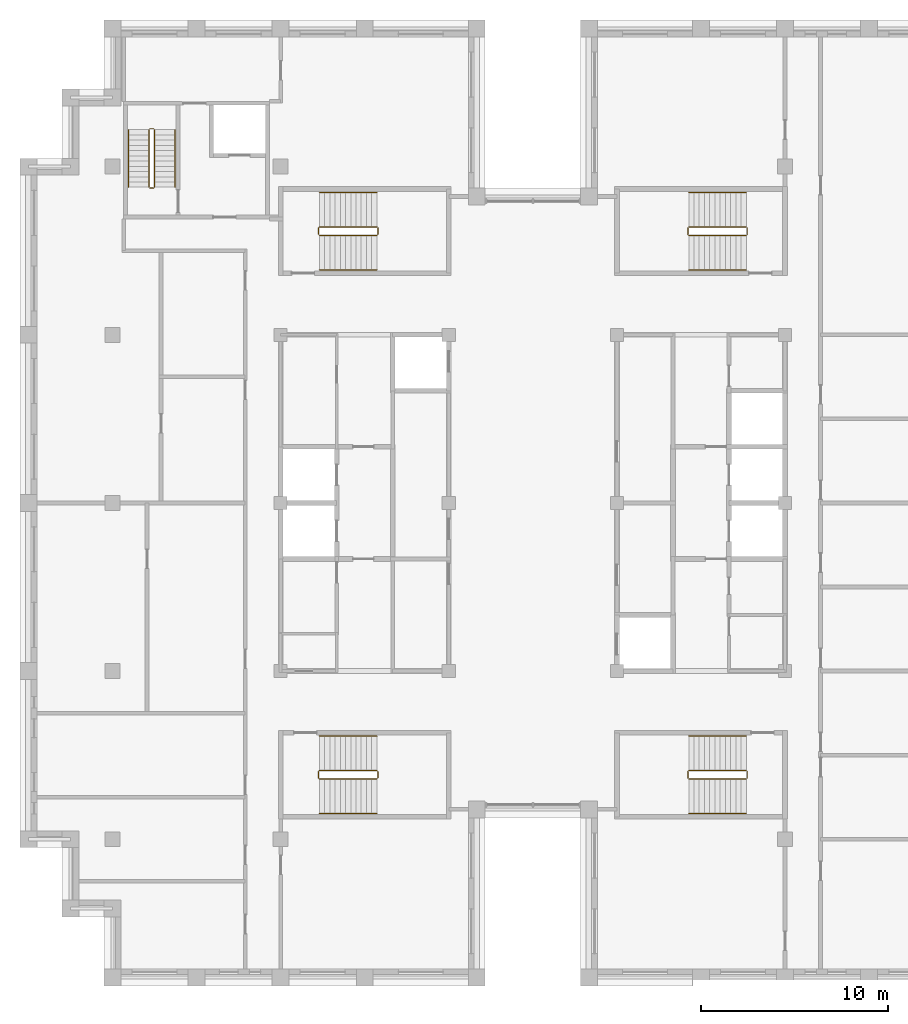
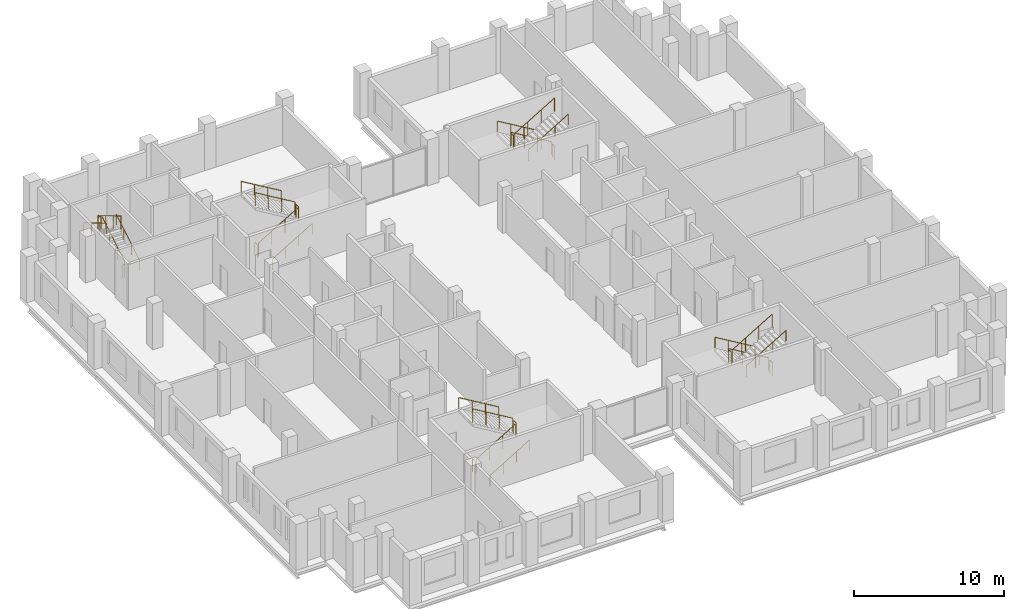
# One storey, part 13 of 13: 5 railings.
"""IFC4 building model written with IfcOpenShell, lengths in metres."""

from ifc_helpers import new_model, si_unit, direction, frame, origin, origin_2d, place, context, subcontext, project, spatial, circle, extrude, material, type_object, element, save


model = new_model("IFC4")

# Units and contexts
model_context = context("Model", 3, precision=1e-05, world=origin(), true_north=direction((0.0, 1.0)))
body_context = subcontext(model_context, "Body", "Model", "MODEL_VIEW")
ifc_project = project(units=[si_unit("LENGTHUNIT", "METRE"), si_unit("AREAUNIT", "SQUARE_METRE"), si_unit("VOLUMEUNIT", "CUBIC_METRE"), si_unit("PLANEANGLEUNIT", "RADIAN"), si_unit("MASSUNIT", "GRAM", prefix="KILO")], contexts=[model_context])

# Site, building, storey
site_placement = place(None, origin())
site = spatial("IfcSite", under=ifc_project, at=site_placement, CompositionType="ELEMENT")
building_placement = place(site_placement, origin())
building = spatial("IfcBuilding", under=site, at=building_placement, Name="Corbelhall Arena Tower", CompositionType="ELEMENT")
storey_placement = place(building_placement, frame((0.0, 0.0, 338.0)))
storey = spatial("IfcBuildingStorey", under=building, at=storey_placement, Name="L74", CompositionType="ELEMENT", Elevation=338.0)

# Railings
ifc_material = material(Name="Steel ASTM A500 Gr C", Category="steel")
railing_type = type_object("IfcRailingType", Name="IN-GD-1100", PredefinedType="GUARDRAIL", material=ifc_material)
railing_1_placement = place(storey_placement, frame((-11.425048828125, 14.324951171875, 0.166748046875)))
element("IfcRailing", 1, at=railing_1_placement, inside=storey, type_object=railing_type, Name="L74 ST1 stair guards and handrails", PredefinedType="GUARDRAIL", context=body_context, shape_type="SweptSolid", body=[
    extrude(circle(Radius=0.02392578125, at=origin_2d()), frame((0.0, 0.0, 1.076171875), z_axis=(0.859308565015, 0.0, 0.511457515432), x_axis=(0.0, 1.0, 0.0)), (0.0, 0.0, 1.0), 3.58447265625),
    extrude(circle(Radius=0.02392578125, at=origin_2d()), frame((3.130126953125, 0.050048828125, 2.9091796875), z_axis=(0.0, 1.0, 0.0), x_axis=(-1.0, 0.0, 0.0)), (0.0, 0.0, 1.0), 0.35009765625),
    extrude(circle(Radius=0.02392578125, at=origin_2d()), frame((3.080078125, 0.449951171875, 3.076171875), z_axis=(-0.859308565015, 0.0, 0.511457515432), x_axis=(0.0, -1.0, 0.0)), (0.0, 0.0, 1.0), 3.58447265625),
    extrude(circle(Radius=0.02392578125, at=origin_2d()), frame((-0.050048828125, 0.050048828125, 0.9091796875), z_axis=(0.0, 1.0, 0.0), x_axis=(-1.0, 0.0, 0.0)), (0.0, 0.0, 1.0), 0.35009765625),
    extrude(circle(Radius=0.02392578125, at=origin_2d()), frame((0.0, -1.849853515625, 0.8759765625), z_axis=(0.859308565015, 0.0, 0.511457515432), x_axis=(0.0, 1.0, 0.0)), (0.0, 0.0, 1.0), 3.58447265625),
    extrude(circle(Radius=0.02392578125, at=origin_2d()), frame((3.080078125, 2.300048828125, 2.8759765625), z_axis=(-0.859308565015, 0.0, 0.511457515432), x_axis=(0.0, -1.0, 0.0)), (0.0, 0.0, 1.0), 3.58447265625),
    extrude(circle(Radius=0.02099609375, at=origin_2d()), origin(), (0.0, 0.0, 1.0), 1.052001953125),
    extrude(circle(Radius=0.02099609375, at=origin_2d()), frame((1.026611328125, 0.0, 0.611083984375)), (0.0, 0.0, 1.0), 1.052001953125),
    extrude(circle(Radius=0.02099609375, at=origin_2d()), frame((2.053466796875, 0.0, 1.22216796875)), (0.0, 0.0, 1.0), 1.052001953125),
    extrude(circle(Radius=0.02099609375, at=origin_2d()), frame((3.080078125, 0.0, 1.833251953125)), (0.0, 0.0, 1.0), 1.052001953125),
    extrude(circle(Radius=0.02099609375, at=origin_2d()), frame((3.130126953125, 0.050048828125, 1.833251953125)), (0.0, 0.0, 1.0), 1.052001953125),
    extrude(circle(Radius=0.02099609375, at=origin_2d()), frame((3.130126953125, 0.400146484375, 1.833251953125)), (0.0, 0.0, 1.0), 1.052001953125),
    extrude(circle(Radius=0.02099609375, at=origin_2d()), frame((3.080078125, 0.449951171875, 2.0)), (0.0, 0.0, 1.0), 1.052001953125),
    extrude(circle(Radius=0.02099609375, at=origin_2d()), frame((2.053466796875, 0.449951171875, 2.611083984375)), (0.0, 0.0, 1.0), 1.052001953125),
    extrude(circle(Radius=0.02099609375, at=origin_2d()), frame((1.026611328125, 0.449951171875, 3.22216796875)), (0.0, 0.0, 1.0), 1.052001953125),
    extrude(circle(Radius=0.02099609375, at=origin_2d()), frame((0.0, 0.449951171875, 3.833251953125)), (0.0, 0.0, 1.0), 1.052001953125),
    extrude(circle(Radius=0.02099609375, at=origin_2d()), frame((-0.050048828125, 0.050048828125, -0.166748046875)), (0.0, 0.0, 1.0), 1.052001953125),
    extrude(circle(Radius=0.02099609375, at=origin_2d()), frame((-0.050048828125, 0.400146484375, -0.166748046875)), (0.0, 0.0, 1.0), 1.052001953125),
    extrude(circle(Radius=0.02099609375, at=origin_2d()), frame((0.0, -1.849853515625, 0.0)), (0.0, 0.0, 1.0), 0.851806640625),
    extrude(circle(Radius=0.02099609375, at=origin_2d()), frame((1.026611328125, -1.849853515625, 0.611083984375)), (0.0, 0.0, 1.0), 0.851806640625),
    extrude(circle(Radius=0.02099609375, at=origin_2d()), frame((2.053466796875, -1.849853515625, 1.22216796875)), (0.0, 0.0, 1.0), 0.851806640625),
    extrude(circle(Radius=0.02099609375, at=origin_2d()), frame((3.080078125, -1.849853515625, 1.833251953125)), (0.0, 0.0, 1.0), 0.851806640625),
    extrude(circle(Radius=0.02099609375, at=origin_2d()), frame((3.080078125, 2.300048828125, 2.0)), (0.0, 0.0, 1.0), 0.851806640625),
    extrude(circle(Radius=0.02099609375, at=origin_2d()), frame((2.053466796875, 2.300048828125, 2.611083984375)), (0.0, 0.0, 1.0), 0.851806640625),
    extrude(circle(Radius=0.02099609375, at=origin_2d()), frame((1.026611328125, 2.300048828125, 3.22216796875)), (0.0, 0.0, 1.0), 0.851806640625),
    extrude(circle(Radius=0.02099609375, at=origin_2d()), frame((0.0, 2.300048828125, 3.833251953125)), (0.0, 0.0, 1.0), 0.851806640625),
])
railing_2_placement = place(storey_placement, frame((-11.425048828125, -14.77490234375, 0.166748046875)))
element("IfcRailing", 2, at=railing_2_placement, inside=storey, type_object=railing_type, Name="L74 ST2 stair guards and handrails", PredefinedType="GUARDRAIL", context=body_context, shape_type="SweptSolid", body=[
    extrude(circle(Radius=0.02392578125, at=origin_2d()), frame((0.0, 0.0, 1.076171875), z_axis=(0.859308565015, 0.0, 0.511457515432), x_axis=(0.0, 1.0, 0.0)), (0.0, 0.0, 1.0), 3.58447265625),
    extrude(circle(Radius=0.02392578125, at=origin_2d()), frame((3.130126953125, 0.0498046875, 2.9091796875), z_axis=(0.0, 1.0, 0.0), x_axis=(-1.0, 0.0, 0.0)), (0.0, 0.0, 1.0), 0.35009765625),
    extrude(circle(Radius=0.02392578125, at=origin_2d()), frame((3.080078125, 0.449951171875, 3.076171875), z_axis=(-0.859308565015, 0.0, 0.511457515432), x_axis=(0.0, -1.0, 0.0)), (0.0, 0.0, 1.0), 3.58447265625),
    extrude(circle(Radius=0.02392578125, at=origin_2d()), frame((-0.050048828125, 0.0498046875, 0.9091796875), z_axis=(0.0, 1.0, 0.0), x_axis=(-1.0, 0.0, 0.0)), (0.0, 0.0, 1.0), 0.35009765625),
    extrude(circle(Radius=0.02392578125, at=origin_2d()), frame((0.0, -1.85009765625, 0.8759765625), z_axis=(0.859308565015, 0.0, 0.511457515432), x_axis=(0.0, 1.0, 0.0)), (0.0, 0.0, 1.0), 3.58447265625),
    extrude(circle(Radius=0.02392578125, at=origin_2d()), frame((3.080078125, 2.2998046875, 2.8759765625), z_axis=(-0.859308565015, 0.0, 0.511457515432), x_axis=(0.0, -1.0, 0.0)), (0.0, 0.0, 1.0), 3.58447265625),
    extrude(circle(Radius=0.02099609375, at=origin_2d()), origin(), (0.0, 0.0, 1.0), 1.052001953125),
    extrude(circle(Radius=0.02099609375, at=origin_2d()), frame((1.026611328125, 0.0, 0.611083984375)), (0.0, 0.0, 1.0), 1.052001953125),
    extrude(circle(Radius=0.02099609375, at=origin_2d()), frame((2.053466796875, 0.0, 1.22216796875)), (0.0, 0.0, 1.0), 1.052001953125),
    extrude(circle(Radius=0.02099609375, at=origin_2d()), frame((3.080078125, 0.0, 1.833251953125)), (0.0, 0.0, 1.0), 1.052001953125),
    extrude(circle(Radius=0.02099609375, at=origin_2d()), frame((3.130126953125, 0.0498046875, 1.833251953125)), (0.0, 0.0, 1.0), 1.052001953125),
    extrude(circle(Radius=0.02099609375, at=origin_2d()), frame((3.130126953125, 0.39990234375, 1.833251953125)), (0.0, 0.0, 1.0), 1.052001953125),
    extrude(circle(Radius=0.02099609375, at=origin_2d()), frame((3.080078125, 0.449951171875, 2.0)), (0.0, 0.0, 1.0), 1.052001953125),
    extrude(circle(Radius=0.02099609375, at=origin_2d()), frame((2.053466796875, 0.449951171875, 2.611083984375)), (0.0, 0.0, 1.0), 1.052001953125),
    extrude(circle(Radius=0.02099609375, at=origin_2d()), frame((1.026611328125, 0.449951171875, 3.22216796875)), (0.0, 0.0, 1.0), 1.052001953125),
    extrude(circle(Radius=0.02099609375, at=origin_2d()), frame((0.0, 0.449951171875, 3.833251953125)), (0.0, 0.0, 1.0), 1.052001953125),
    extrude(circle(Radius=0.02099609375, at=origin_2d()), frame((-0.050048828125, 0.0498046875, -0.166748046875)), (0.0, 0.0, 1.0), 1.052001953125),
    extrude(circle(Radius=0.02099609375, at=origin_2d()), frame((-0.050048828125, 0.39990234375, -0.166748046875)), (0.0, 0.0, 1.0), 1.052001953125),
    extrude(circle(Radius=0.02099609375, at=origin_2d()), frame((0.0, -1.85009765625, 0.0)), (0.0, 0.0, 1.0), 0.851806640625),
    extrude(circle(Radius=0.02099609375, at=origin_2d()), frame((1.026611328125, -1.85009765625, 0.611083984375)), (0.0, 0.0, 1.0), 0.851806640625),
    extrude(circle(Radius=0.02099609375, at=origin_2d()), frame((2.053466796875, -1.85009765625, 1.22216796875)), (0.0, 0.0, 1.0), 0.851806640625),
    extrude(circle(Radius=0.02099609375, at=origin_2d()), frame((3.080078125, -1.85009765625, 1.833251953125)), (0.0, 0.0, 1.0), 0.851806640625),
    extrude(circle(Radius=0.02099609375, at=origin_2d()), frame((3.080078125, 2.2998046875, 2.0)), (0.0, 0.0, 1.0), 0.851806640625),
    extrude(circle(Radius=0.02099609375, at=origin_2d()), frame((2.053466796875, 2.2998046875, 2.611083984375)), (0.0, 0.0, 1.0), 0.851806640625),
    extrude(circle(Radius=0.02099609375, at=origin_2d()), frame((1.026611328125, 2.2998046875, 3.22216796875)), (0.0, 0.0, 1.0), 0.851806640625),
    extrude(circle(Radius=0.02099609375, at=origin_2d()), frame((0.0, 2.2998046875, 3.833251953125)), (0.0, 0.0, 1.0), 0.851806640625),
])
railing_3_placement = place(storey_placement, frame((11.425048828125, 14.77490234375, 0.166748046875)))
element("IfcRailing", 3, at=railing_3_placement, inside=storey, type_object=railing_type, Name="L74 ST3 stair guards and handrails", PredefinedType="GUARDRAIL", context=body_context, shape_type="SweptSolid", body=[
    extrude(circle(Radius=0.02392578125, at=origin_2d()), frame((0.0, 0.0, 1.076171875), z_axis=(-0.859308565015, 0.0, 0.511457515432), x_axis=(0.0, -1.0, 0.0)), (0.0, 0.0, 1.0), 3.58447265625),
    extrude(circle(Radius=0.02392578125, at=origin_2d()), frame((-3.130126953125, -0.0498046875, 2.9091796875), z_axis=(0.0, -1.0, 0.0), x_axis=(1.0, 0.0, 0.0)), (0.0, 0.0, 1.0), 0.35009765625),
    extrude(circle(Radius=0.02392578125, at=origin_2d()), frame((-3.080078125, -0.449951171875, 3.076171875), z_axis=(0.859308565015, 0.0, 0.511457515432), x_axis=(0.0, 1.0, 0.0)), (0.0, 0.0, 1.0), 3.58447265625),
    extrude(circle(Radius=0.02392578125, at=origin_2d()), frame((0.050048828125, -0.0498046875, 0.9091796875), z_axis=(0.0, -1.0, 0.0), x_axis=(1.0, 0.0, 0.0)), (0.0, 0.0, 1.0), 0.35009765625),
    extrude(circle(Radius=0.02392578125, at=origin_2d()), frame((0.0, 1.85009765625, 0.8759765625), z_axis=(-0.859308565015, 0.0, 0.511457515432), x_axis=(0.0, -1.0, 0.0)), (0.0, 0.0, 1.0), 3.58447265625),
    extrude(circle(Radius=0.02392578125, at=origin_2d()), frame((-3.080078125, -2.2998046875, 2.8759765625), z_axis=(0.859308565015, 0.0, 0.511457515432), x_axis=(0.0, 1.0, 0.0)), (0.0, 0.0, 1.0), 3.58447265625),
    extrude(circle(Radius=0.02099609375, at=origin_2d()), origin(), (0.0, 0.0, 1.0), 1.052001953125),
    extrude(circle(Radius=0.02099609375, at=origin_2d()), frame((-1.026611328125, 0.0, 0.611083984375)), (0.0, 0.0, 1.0), 1.052001953125),
    extrude(circle(Radius=0.02099609375, at=origin_2d()), frame((-2.053466796875, 0.0, 1.22216796875)), (0.0, 0.0, 1.0), 1.052001953125),
    extrude(circle(Radius=0.02099609375, at=origin_2d()), frame((-3.080078125, 0.0, 1.833251953125)), (0.0, 0.0, 1.0), 1.052001953125),
    extrude(circle(Radius=0.02099609375, at=origin_2d()), frame((-3.130126953125, -0.0498046875, 1.833251953125)), (0.0, 0.0, 1.0), 1.052001953125),
    extrude(circle(Radius=0.02099609375, at=origin_2d()), frame((-3.130126953125, -0.39990234375, 1.833251953125)), (0.0, 0.0, 1.0), 1.052001953125),
    extrude(circle(Radius=0.02099609375, at=origin_2d()), frame((-3.080078125, -0.449951171875, 2.0)), (0.0, 0.0, 1.0), 1.052001953125),
    extrude(circle(Radius=0.02099609375, at=origin_2d()), frame((-2.053466796875, -0.449951171875, 2.611083984375)), (0.0, 0.0, 1.0), 1.052001953125),
    extrude(circle(Radius=0.02099609375, at=origin_2d()), frame((-1.026611328125, -0.449951171875, 3.22216796875)), (0.0, 0.0, 1.0), 1.052001953125),
    extrude(circle(Radius=0.02099609375, at=origin_2d()), frame((0.0, -0.449951171875, 3.833251953125)), (0.0, 0.0, 1.0), 1.052001953125),
    extrude(circle(Radius=0.02099609375, at=origin_2d()), frame((0.050048828125, -0.0498046875, -0.166748046875)), (0.0, 0.0, 1.0), 1.052001953125),
    extrude(circle(Radius=0.02099609375, at=origin_2d()), frame((0.050048828125, -0.39990234375, -0.166748046875)), (0.0, 0.0, 1.0), 1.052001953125),
    extrude(circle(Radius=0.02099609375, at=origin_2d()), frame((0.0, 1.85009765625, 0.0)), (0.0, 0.0, 1.0), 0.851806640625),
    extrude(circle(Radius=0.02099609375, at=origin_2d()), frame((-1.026611328125, 1.85009765625, 0.611083984375)), (0.0, 0.0, 1.0), 0.851806640625),
    extrude(circle(Radius=0.02099609375, at=origin_2d()), frame((-2.053466796875, 1.85009765625, 1.22216796875)), (0.0, 0.0, 1.0), 0.851806640625),
    extrude(circle(Radius=0.02099609375, at=origin_2d()), frame((-3.080078125, 1.85009765625, 1.833251953125)), (0.0, 0.0, 1.0), 0.851806640625),
    extrude(circle(Radius=0.02099609375, at=origin_2d()), frame((-3.080078125, -2.2998046875, 2.0)), (0.0, 0.0, 1.0), 0.851806640625),
    extrude(circle(Radius=0.02099609375, at=origin_2d()), frame((-2.053466796875, -2.2998046875, 2.611083984375)), (0.0, 0.0, 1.0), 0.851806640625),
    extrude(circle(Radius=0.02099609375, at=origin_2d()), frame((-1.026611328125, -2.2998046875, 3.22216796875)), (0.0, 0.0, 1.0), 0.851806640625),
    extrude(circle(Radius=0.02099609375, at=origin_2d()), frame((0.0, -2.2998046875, 3.833251953125)), (0.0, 0.0, 1.0), 0.851806640625),
])
railing_4_placement = place(storey_placement, frame((11.425048828125, -14.324951171875, 0.166748046875)))
element("IfcRailing", 4, at=railing_4_placement, inside=storey, type_object=railing_type, Name="L74 ST4 stair guards and handrails", PredefinedType="GUARDRAIL", context=body_context, shape_type="SweptSolid", body=[
    extrude(circle(Radius=0.02392578125, at=origin_2d()), frame((0.0, 0.0, 1.076171875), z_axis=(-0.859308565015, 0.0, 0.511457515432), x_axis=(0.0, -1.0, 0.0)), (0.0, 0.0, 1.0), 3.58447265625),
    extrude(circle(Radius=0.02392578125, at=origin_2d()), frame((-3.130126953125, -0.050048828125, 2.9091796875), z_axis=(0.0, -1.0, 0.0), x_axis=(1.0, 0.0, 0.0)), (0.0, 0.0, 1.0), 0.35009765625),
    extrude(circle(Radius=0.02392578125, at=origin_2d()), frame((-3.080078125, -0.449951171875, 3.076171875), z_axis=(0.859308565015, 0.0, 0.511457515432), x_axis=(0.0, 1.0, 0.0)), (0.0, 0.0, 1.0), 3.58447265625),
    extrude(circle(Radius=0.02392578125, at=origin_2d()), frame((0.050048828125, -0.050048828125, 0.9091796875), z_axis=(0.0, -1.0, 0.0), x_axis=(1.0, 0.0, 0.0)), (0.0, 0.0, 1.0), 0.35009765625),
    extrude(circle(Radius=0.02392578125, at=origin_2d()), frame((0.0, 1.849853515625, 0.8759765625), z_axis=(-0.859308565015, 0.0, 0.511457515432), x_axis=(0.0, -1.0, 0.0)), (0.0, 0.0, 1.0), 3.58447265625),
    extrude(circle(Radius=0.02392578125, at=origin_2d()), frame((-3.080078125, -2.300048828125, 2.8759765625), z_axis=(0.859308565015, 0.0, 0.511457515432), x_axis=(0.0, 1.0, 0.0)), (0.0, 0.0, 1.0), 3.58447265625),
    extrude(circle(Radius=0.02099609375, at=origin_2d()), origin(), (0.0, 0.0, 1.0), 1.052001953125),
    extrude(circle(Radius=0.02099609375, at=origin_2d()), frame((-1.026611328125, 0.0, 0.611083984375)), (0.0, 0.0, 1.0), 1.052001953125),
    extrude(circle(Radius=0.02099609375, at=origin_2d()), frame((-2.053466796875, 0.0, 1.22216796875)), (0.0, 0.0, 1.0), 1.052001953125),
    extrude(circle(Radius=0.02099609375, at=origin_2d()), frame((-3.080078125, 0.0, 1.833251953125)), (0.0, 0.0, 1.0), 1.052001953125),
    extrude(circle(Radius=0.02099609375, at=origin_2d()), frame((-3.130126953125, -0.050048828125, 1.833251953125)), (0.0, 0.0, 1.0), 1.052001953125),
    extrude(circle(Radius=0.02099609375, at=origin_2d()), frame((-3.130126953125, -0.400146484375, 1.833251953125)), (0.0, 0.0, 1.0), 1.052001953125),
    extrude(circle(Radius=0.02099609375, at=origin_2d()), frame((-3.080078125, -0.449951171875, 2.0)), (0.0, 0.0, 1.0), 1.052001953125),
    extrude(circle(Radius=0.02099609375, at=origin_2d()), frame((-2.053466796875, -0.449951171875, 2.611083984375)), (0.0, 0.0, 1.0), 1.052001953125),
    extrude(circle(Radius=0.02099609375, at=origin_2d()), frame((-1.026611328125, -0.449951171875, 3.22216796875)), (0.0, 0.0, 1.0), 1.052001953125),
    extrude(circle(Radius=0.02099609375, at=origin_2d()), frame((0.0, -0.449951171875, 3.833251953125)), (0.0, 0.0, 1.0), 1.052001953125),
    extrude(circle(Radius=0.02099609375, at=origin_2d()), frame((0.050048828125, -0.050048828125, -0.166748046875)), (0.0, 0.0, 1.0), 1.052001953125),
    extrude(circle(Radius=0.02099609375, at=origin_2d()), frame((0.050048828125, -0.400146484375, -0.166748046875)), (0.0, 0.0, 1.0), 1.052001953125),
    extrude(circle(Radius=0.02099609375, at=origin_2d()), frame((0.0, 1.849853515625, 0.0)), (0.0, 0.0, 1.0), 0.851806640625),
    extrude(circle(Radius=0.02099609375, at=origin_2d()), frame((-1.026611328125, 1.849853515625, 0.611083984375)), (0.0, 0.0, 1.0), 0.851806640625),
    extrude(circle(Radius=0.02099609375, at=origin_2d()), frame((-2.053466796875, 1.849853515625, 1.22216796875)), (0.0, 0.0, 1.0), 0.851806640625),
    extrude(circle(Radius=0.02099609375, at=origin_2d()), frame((-3.080078125, 1.849853515625, 1.833251953125)), (0.0, 0.0, 1.0), 0.851806640625),
    extrude(circle(Radius=0.02099609375, at=origin_2d()), frame((-3.080078125, -2.300048828125, 2.0)), (0.0, 0.0, 1.0), 0.851806640625),
    extrude(circle(Radius=0.02099609375, at=origin_2d()), frame((-2.053466796875, -2.300048828125, 2.611083984375)), (0.0, 0.0, 1.0), 0.851806640625),
    extrude(circle(Radius=0.02099609375, at=origin_2d()), frame((-1.026611328125, -2.300048828125, 3.22216796875)), (0.0, 0.0, 1.0), 0.851806640625),
    extrude(circle(Radius=0.02099609375, at=origin_2d()), frame((0.0, -2.300048828125, 3.833251953125)), (0.0, 0.0, 1.0), 0.851806640625),
])
railing_5_placement = place(storey_placement, frame((-20.2451171875, 16.89990234375, 0.166748046875)))
element("IfcRailing", 5, at=railing_5_placement, inside=storey, type_object=railing_type, Name="L74 ST5 stair guards and handrails", PredefinedType="GUARDRAIL", context=body_context, shape_type="SweptSolid", body=[
    extrude(circle(Radius=0.02392578125, at=origin_2d()), frame((0.0, 0.0, 1.076171875), z_axis=(0.0, 0.859308565015, 0.511457515432), x_axis=(-1.0, 0.0, 0.0)), (0.0, 0.0, 1.0), 3.58447265625),
    extrude(circle(Radius=0.02392578125, at=origin_2d()), frame((-0.0498046875, 3.130126953125, 2.9091796875), z_axis=(-1.0, 0.0, 0.0), x_axis=(0.0, -1.0, 0.0)), (0.0, 0.0, 1.0), 0.2001953125),
    extrude(circle(Radius=0.02392578125, at=origin_2d()), frame((-0.2998046875, 3.080078125, 3.076171875), z_axis=(0.0, -0.859308565015, 0.511457515432), x_axis=(1.0, 0.0, 0.0)), (0.0, 0.0, 1.0), 3.58447265625),
    extrude(circle(Radius=0.02392578125, at=origin_2d()), frame((-0.0498046875, -0.0498046875, 0.9091796875), z_axis=(-1.0, 0.0, 0.0), x_axis=(0.0, -1.0, 0.0)), (0.0, 0.0, 1.0), 0.2001953125),
    extrude(circle(Radius=0.02392578125, at=origin_2d()), frame((1.10009765625, 0.0, 0.8759765625), z_axis=(0.0, 0.859308565015, 0.511457515432), x_axis=(-1.0, 0.0, 0.0)), (0.0, 0.0, 1.0), 3.58447265625),
    extrude(circle(Radius=0.02392578125, at=origin_2d()), frame((-1.39990234375, 3.080078125, 2.8759765625), z_axis=(0.0, -0.859308565015, 0.511457515432), x_axis=(1.0, 0.0, 0.0)), (0.0, 0.0, 1.0), 3.58447265625),
    extrude(circle(Radius=0.02099609375, at=origin_2d()), origin(), (0.0, 0.0, 1.0), 1.052001953125),
    extrude(circle(Radius=0.02099609375, at=origin_2d()), frame((0.0, 1.026611328125, 0.611083984375)), (0.0, 0.0, 1.0), 1.052001953125),
    extrude(circle(Radius=0.02099609375, at=origin_2d()), frame((0.0, 2.053466796875, 1.22216796875)), (0.0, 0.0, 1.0), 1.052001953125),
    extrude(circle(Radius=0.02099609375, at=origin_2d()), frame((0.0, 3.080078125, 1.833251953125)), (0.0, 0.0, 1.0), 1.052001953125),
    extrude(circle(Radius=0.02099609375, at=origin_2d()), frame((-0.0498046875, 3.130126953125, 1.833251953125)), (0.0, 0.0, 1.0), 1.052001953125),
    extrude(circle(Radius=0.02099609375, at=origin_2d()), frame((-0.25, 3.130126953125, 1.833251953125)), (0.0, 0.0, 1.0), 1.052001953125),
    extrude(circle(Radius=0.02099609375, at=origin_2d()), frame((-0.2998046875, 3.080078125, 2.0)), (0.0, 0.0, 1.0), 1.052001953125),
    extrude(circle(Radius=0.02099609375, at=origin_2d()), frame((-0.2998046875, 2.053466796875, 2.611083984375)), (0.0, 0.0, 1.0), 1.052001953125),
    extrude(circle(Radius=0.02099609375, at=origin_2d()), frame((-0.2998046875, 1.026611328125, 3.22216796875)), (0.0, 0.0, 1.0), 1.052001953125),
    extrude(circle(Radius=0.02099609375, at=origin_2d()), frame((-0.2998046875, 0.0, 3.833251953125)), (0.0, 0.0, 1.0), 1.052001953125),
    extrude(circle(Radius=0.02099609375, at=origin_2d()), frame((-0.0498046875, -0.0498046875, -0.166748046875)), (0.0, 0.0, 1.0), 1.052001953125),
    extrude(circle(Radius=0.02099609375, at=origin_2d()), frame((-0.25, -0.0498046875, -0.166748046875)), (0.0, 0.0, 1.0), 1.052001953125),
    extrude(circle(Radius=0.02099609375, at=origin_2d()), frame((1.10009765625, 0.0, 0.0)), (0.0, 0.0, 1.0), 0.851806640625),
    extrude(circle(Radius=0.02099609375, at=origin_2d()), frame((1.10009765625, 1.026611328125, 0.611083984375)), (0.0, 0.0, 1.0), 0.851806640625),
    extrude(circle(Radius=0.02099609375, at=origin_2d()), frame((1.10009765625, 2.053466796875, 1.22216796875)), (0.0, 0.0, 1.0), 0.851806640625),
    extrude(circle(Radius=0.02099609375, at=origin_2d()), frame((1.10009765625, 3.080078125, 1.833251953125)), (0.0, 0.0, 1.0), 0.851806640625),
    extrude(circle(Radius=0.02099609375, at=origin_2d()), frame((-1.39990234375, 3.080078125, 2.0)), (0.0, 0.0, 1.0), 0.851806640625),
    extrude(circle(Radius=0.02099609375, at=origin_2d()), frame((-1.39990234375, 2.053466796875, 2.611083984375)), (0.0, 0.0, 1.0), 0.851806640625),
    extrude(circle(Radius=0.02099609375, at=origin_2d()), frame((-1.39990234375, 1.026611328125, 3.22216796875)), (0.0, 0.0, 1.0), 0.851806640625),
    extrude(circle(Radius=0.02099609375, at=origin_2d()), frame((-1.39990234375, 0.0, 3.833251953125)), (0.0, 0.0, 1.0), 0.851806640625),
])

save(model, "model.ifc")
